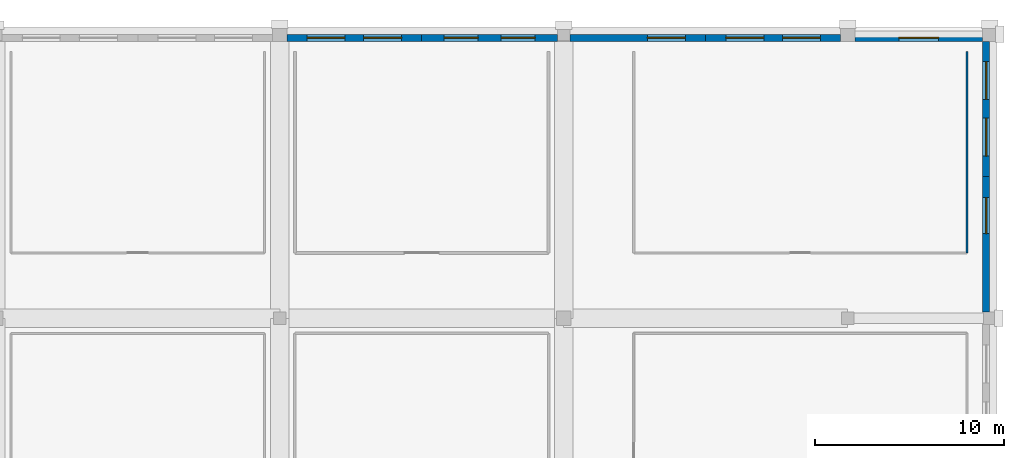
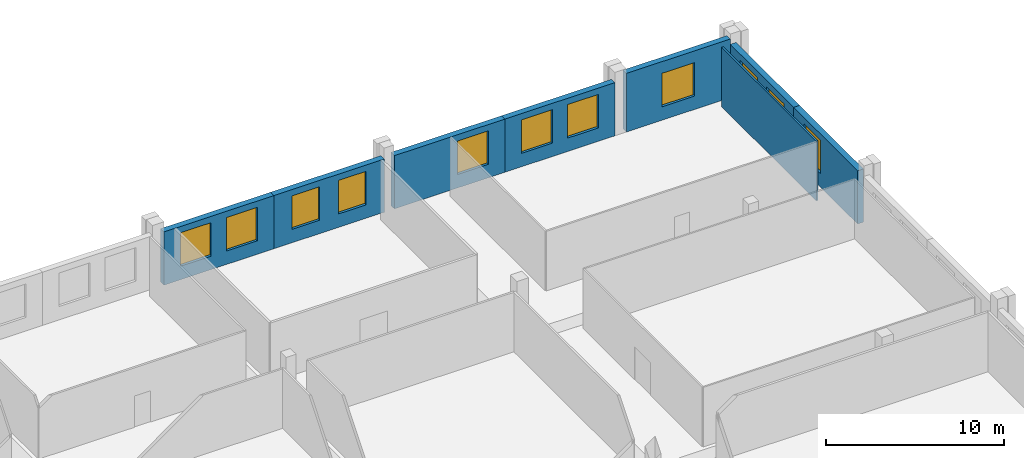
# One storey, part 53 of 64: 11 windows, 8 walls, 11 openings.
"""IFC4 building model written with IfcOpenShell, lengths in metres."""

from ifc_helpers import new_model, si_unit, direction, frame, frame_2d, origin, place, context, subcontext, project, spatial, rectangle, extrude, material, layer, layer_set, type_object, element, fill, save


model = new_model("IFC4")

# Units and contexts
model_context = context("Model", 3, precision=1e-05, world=origin(), true_north=direction((0.0, 1.0)))
body_context = subcontext(model_context, "Body", "Model", "MODEL_VIEW")
ifc_project = project(units=[si_unit("LENGTHUNIT", "METRE"), si_unit("AREAUNIT", "SQUARE_METRE"), si_unit("VOLUMEUNIT", "CUBIC_METRE"), si_unit("PLANEANGLEUNIT", "RADIAN"), si_unit("MASSUNIT", "GRAM", prefix="KILO")], contexts=[model_context])

# Site, building, storey
site_placement = place(None, origin())
site = spatial("IfcSite", under=ifc_project, at=site_placement, CompositionType="ELEMENT")
building_placement = place(site_placement, origin())
building = spatial("IfcBuilding", under=site, at=building_placement, Name="Akrevak Sports Hall", CompositionType="ELEMENT")
storey_placement = place(building_placement, frame((0.0, 0.0, 4.60009765625)))
storey = spatial("IfcBuildingStorey", under=building, at=storey_placement, Name="L01", CompositionType="ELEMENT", Elevation=4.60009765625)

# Wall, openings, windows
ifc_material_1 = material(Name="Limestone Ashlar", Category="stone")
ifc_layer_1 = layer(ifc_material_1, 0.080078125, Name="Limestone Ashlar")
ifc_material_2 = material(Name="Mineral Wool Thermal Insulation", Category="insulation")
ifc_layer_2 = layer(ifc_material_2, 0.10009765625, Name="Mineral Wool Thermal Insulation")
ifc_material_3 = material(Name="Concrete C40/50", Category="concrete")
ifc_layer_3 = layer(ifc_material_3, 0.199951171875, Name="Concrete C40/50")
ifc_layer_set_1 = layer_set([ifc_layer_1, ifc_layer_2, ifc_layer_3], Name="Limestone Ashlar / Mineral Wool Thermal Insulation / Concrete C40/50")
wall_type_1 = type_object("IfcWallType", Name="ARC-WL-EXT-380", PredefinedType="SOLIDWALL", material=ifc_layer_set_1)
wall_1_placement = place(storey_placement, frame((138.0, 113.81005859375, 0.0), z_axis=(0.0, 0.0, 1.0), x_axis=(-1.0, 0.0, 0.0)))
wall_1 = element("IfcWall", 1, at=wall_1_placement, inside=storey, type_object=wall_type_1, Name="Exterior Limestone Wall L01-N18", PredefinedType="SOLIDWALL", context=body_context, shape_type="SweptSolid", body=[
    extrude(rectangle(XDim=7.125, YDim=0.3798828125, at=frame_2d((3.5625, 0.0))), origin(), (0.0, 0.0, 1.0), 3.64990234375),
])
opening_1_placement = place(wall_1_placement, frame((4.058837890625, 0.0, 0.919921875)))
opening_1 = element("IfcOpeningElement", 2, at=opening_1_placement, cuts=wall_1, Name="Opening WN-29", PredefinedType="OPENING", context=body_context, shape_type="SweptSolid", body=[
    extrude(rectangle(XDim=2.0, YDim=2.300048828125, at=frame_2d((1.0, 1.14990234375))), frame((0.0, 0.201904296875, 0.0), z_axis=(0.0, -1.0, 0.0), x_axis=(1.0, 0.0, 0.0)), (0.0, 0.0, 1.0), 0.40380859375),
])
opening_2_placement = place(wall_1_placement, frame((1.066162109375, 0.0, 0.919921875)))
opening_2 = element("IfcOpeningElement", 3, at=opening_2_placement, cuts=wall_1, Name="Opening WN-29", PredefinedType="OPENING", context=body_context, shape_type="SweptSolid", body=[
    extrude(rectangle(XDim=2.0, YDim=2.300048828125, at=frame_2d((1.0, 1.14990234375))), frame((0.0, 0.201904296875, 0.0), z_axis=(0.0, -1.0, 0.0), x_axis=(1.0, 0.0, 0.0)), (0.0, 0.0, 1.0), 0.40380859375),
])
ifc_material_4 = material(Name="Thermally Broken Bronze Frame & Double Low-E Glass", Category="glass")
window_type_1 = type_object("IfcWindowType", Name="ARC-WIN-SZ-2000x2300", PartitioningType="SINGLE_PANEL", PredefinedType="WINDOW", material=ifc_material_4)
window_1_placement = place(opening_1_placement, origin())
window_1 = element("IfcWindow", 4, at=window_1_placement, inside=storey, type_object=window_type_1, Name="Beaux-Arts Facade Window WIN-L01-N18-1", OverallHeight=2.300048828125, OverallWidth=2.0, PartitioningType="SINGLE_PANEL", PredefinedType="WINDOW", context=body_context, shape_type="SweptSolid", body=[
    extrude(rectangle(XDim=2.0, YDim=2.300048828125, at=frame_2d((1.0, 1.14990234375))), frame((0.0, 0.030029296875, 0.0), z_axis=(0.0, -1.0, 0.0), x_axis=(1.0, 0.0, 0.0)), (0.0, 0.0, 1.0), 0.06005859375),
])
fill(opening_1, window_1)
window_2_placement = place(opening_2_placement, origin())
window_2 = element("IfcWindow", 5, at=window_2_placement, inside=storey, type_object=window_type_1, Name="Beaux-Arts Facade Window WIN-L01-N18-2", OverallHeight=2.300048828125, OverallWidth=2.0, PartitioningType="SINGLE_PANEL", PredefinedType="WINDOW", context=body_context, shape_type="SweptSolid", body=[
    extrude(rectangle(XDim=2.0, YDim=2.300048828125, at=frame_2d((1.0, 1.14990234375))), frame((0.0, 0.030029296875, 0.0), z_axis=(0.0, -1.0, 0.0), x_axis=(1.0, 0.0, 0.0)), (0.0, 0.0, 1.0), 0.06005859375),
])
fill(opening_2, window_2)

wall_2_placement = place(storey_placement, frame((145.175048828125, 113.81005859375, 0.0), z_axis=(0.0, 0.0, 1.0), x_axis=(-1.0, 0.0, 0.0)))
wall_2 = element("IfcWall", 6, at=wall_2_placement, inside=storey, type_object=wall_type_1, Name="Exterior Limestone Wall L01-N19", PredefinedType="SOLIDWALL", context=body_context, shape_type="SweptSolid", body=[
    extrude(rectangle(XDim=7.175048828125, YDim=0.3798828125, at=frame_2d((3.58740234375, 0.0))), origin(), (0.0, 0.0, 1.0), 3.64990234375),
])
opening_3_placement = place(wall_2_placement, frame((4.1943359375, 0.0, 0.919921875)))
opening_3 = element("IfcOpeningElement", 7, at=opening_3_placement, cuts=wall_2, Name="Opening WN-31", PredefinedType="OPENING", context=body_context, shape_type="SweptSolid", body=[
    extrude(rectangle(XDim=1.800048828125, YDim=2.300048828125, at=frame_2d((0.89990234375, 1.14990234375))), frame((0.0, 0.201904296875, 0.0), z_axis=(0.0, -1.0, 0.0), x_axis=(1.0, 0.0, 0.0)), (0.0, 0.0, 1.0), 0.40380859375),
])
opening_4_placement = place(wall_2_placement, frame((1.180908203125, 0.0, 0.919921875)))
opening_4 = element("IfcOpeningElement", 8, at=opening_4_placement, cuts=wall_2, Name="Opening WN-31", PredefinedType="OPENING", context=body_context, shape_type="SweptSolid", body=[
    extrude(rectangle(XDim=1.800048828125, YDim=2.300048828125, at=frame_2d((0.89990234375, 1.14990234375))), frame((0.0, 0.201904296875, 0.0), z_axis=(0.0, -1.0, 0.0), x_axis=(1.0, 0.0, 0.0)), (0.0, 0.0, 1.0), 0.40380859375),
])
window_type_2 = type_object("IfcWindowType", Name="ARC-WIN-SZ-1800x2300", PartitioningType="SINGLE_PANEL", PredefinedType="WINDOW", material=ifc_material_4)
window_3_placement = place(opening_3_placement, origin())
window_3 = element("IfcWindow", 9, at=window_3_placement, inside=storey, type_object=window_type_2, Name="Beaux-Arts Facade Window WIN-L01-N19-1", OverallHeight=2.300048828125, OverallWidth=1.800048828125, PartitioningType="SINGLE_PANEL", PredefinedType="WINDOW", context=body_context, shape_type="SweptSolid", body=[
    extrude(rectangle(XDim=1.800048828125, YDim=2.300048828125, at=frame_2d((0.89990234375, 1.14990234375))), frame((0.0, 0.030029296875, 0.0), z_axis=(0.0, -1.0, 0.0), x_axis=(1.0, 0.0, 0.0)), (0.0, 0.0, 1.0), 0.06005859375),
])
fill(opening_3, window_3)
window_4_placement = place(opening_4_placement, origin())
window_4 = element("IfcWindow", 10, at=window_4_placement, inside=storey, type_object=window_type_2, Name="Beaux-Arts Facade Window WIN-L01-N19-2", OverallHeight=2.300048828125, OverallWidth=1.800048828125, PartitioningType="SINGLE_PANEL", PredefinedType="WINDOW", context=body_context, shape_type="SweptSolid", body=[
    extrude(rectangle(XDim=1.800048828125, YDim=2.300048828125, at=frame_2d((0.89990234375, 1.14990234375))), frame((0.0, 0.030029296875, 0.0), z_axis=(0.0, -1.0, 0.0), x_axis=(1.0, 0.0, 0.0)), (0.0, 0.0, 1.0), 0.06005859375),
])
fill(opening_4, window_4)

# Wall, opening, window
wall_3_placement = place(storey_placement, frame((153.0, 113.81005859375, 0.0), z_axis=(0.0, 0.0, 1.0), x_axis=(-1.0, 0.0, 0.0)))
wall_3 = element("IfcWall", 11, at=wall_3_placement, inside=storey, type_object=wall_type_1, Name="Exterior Limestone Wall L01-N20", PredefinedType="SOLIDWALL", context=body_context, shape_type="SweptSolid", body=[
    extrude(rectangle(XDim=7.175048828125, YDim=0.3798828125, at=frame_2d((3.58740234375, 0.0))), origin(), (0.0, 0.0, 1.0), 3.64990234375),
])
opening_5_placement = place(wall_3_placement, frame((1.080810546875, 0.0, 0.919921875)))
opening_5 = element("IfcOpeningElement", 12, at=opening_5_placement, cuts=wall_3, Name="Opening WN-29", PredefinedType="OPENING", context=body_context, shape_type="SweptSolid", body=[
    extrude(rectangle(XDim=2.0, YDim=2.300048828125, at=frame_2d((1.0, 1.14990234375))), frame((0.0, 0.201904296875, 0.0), z_axis=(0.0, -1.0, 0.0), x_axis=(1.0, 0.0, 0.0)), (0.0, 0.0, 1.0), 0.40380859375),
])
window_5_placement = place(opening_5_placement, origin())
window_5 = element("IfcWindow", 13, at=window_5_placement, inside=storey, type_object=window_type_1, Name="Beaux-Arts Facade Window WIN-L01-N20-2", OverallHeight=2.300048828125, OverallWidth=2.0, PartitioningType="SINGLE_PANEL", PredefinedType="WINDOW", context=body_context, shape_type="SweptSolid", body=[
    extrude(rectangle(XDim=2.0, YDim=2.300048828125, at=frame_2d((1.0, 1.14990234375))), frame((0.0, 0.030029296875, 0.0), z_axis=(0.0, -1.0, 0.0), x_axis=(1.0, 0.0, 0.0)), (0.0, 0.0, 1.0), 0.06005859375),
])
fill(opening_5, window_5)

# Wall, openings, windows
wall_4_placement = place(storey_placement, frame((160.125, 113.81005859375, 0.0), z_axis=(0.0, 0.0, 1.0), x_axis=(-1.0, 0.0, 0.0)))
wall_4 = element("IfcWall", 14, at=wall_4_placement, inside=storey, type_object=wall_type_1, Name="Exterior Limestone Wall L01-N21", PredefinedType="SOLIDWALL", context=body_context, shape_type="SweptSolid", body=[
    extrude(rectangle(XDim=7.125, YDim=0.3798828125, at=frame_2d((3.5625, 0.0))), origin(), (0.0, 0.0, 1.0), 3.64990234375),
])
opening_6_placement = place(wall_4_placement, frame((4.058837890625, 0.0, 0.919921875)))
opening_6 = element("IfcOpeningElement", 15, at=opening_6_placement, cuts=wall_4, Name="Opening WN-29", PredefinedType="OPENING", context=body_context, shape_type="SweptSolid", body=[
    extrude(rectangle(XDim=2.0, YDim=2.300048828125, at=frame_2d((1.0, 1.14990234375))), frame((0.0, 0.201904296875, 0.0), z_axis=(0.0, -1.0, 0.0), x_axis=(1.0, 0.0, 0.0)), (0.0, 0.0, 1.0), 0.40380859375),
])
opening_7_placement = place(wall_4_placement, frame((1.066162109375, 0.0, 0.919921875)))
opening_7 = element("IfcOpeningElement", 16, at=opening_7_placement, cuts=wall_4, Name="Opening WN-29", PredefinedType="OPENING", context=body_context, shape_type="SweptSolid", body=[
    extrude(rectangle(XDim=2.0, YDim=2.300048828125, at=frame_2d((1.0, 1.14990234375))), frame((0.0, 0.201904296875, 0.0), z_axis=(0.0, -1.0, 0.0), x_axis=(1.0, 0.0, 0.0)), (0.0, 0.0, 1.0), 0.40380859375),
])
window_6_placement = place(opening_6_placement, origin())
window_6 = element("IfcWindow", 17, at=window_6_placement, inside=storey, type_object=window_type_1, Name="Beaux-Arts Facade Window WIN-L01-N21-1", OverallHeight=2.300048828125, OverallWidth=2.0, PartitioningType="SINGLE_PANEL", PredefinedType="WINDOW", context=body_context, shape_type="SweptSolid", body=[
    extrude(rectangle(XDim=2.0, YDim=2.300048828125, at=frame_2d((1.0, 1.14990234375))), frame((0.0, 0.030029296875, 0.0), z_axis=(0.0, -1.0, 0.0), x_axis=(1.0, 0.0, 0.0)), (0.0, 0.0, 1.0), 0.06005859375),
])
fill(opening_6, window_6)
window_7_placement = place(opening_7_placement, origin())
window_7 = element("IfcWindow", 18, at=window_7_placement, inside=storey, type_object=window_type_1, Name="Beaux-Arts Facade Window WIN-L01-N21-2", OverallHeight=2.300048828125, OverallWidth=2.0, PartitioningType="SINGLE_PANEL", PredefinedType="WINDOW", context=body_context, shape_type="SweptSolid", body=[
    extrude(rectangle(XDim=2.0, YDim=2.300048828125, at=frame_2d((1.0, 1.14990234375))), frame((0.0, 0.030029296875, 0.0), z_axis=(0.0, -1.0, 0.0), x_axis=(1.0, 0.0, 0.0)), (0.0, 0.0, 1.0), 0.06005859375),
])
fill(opening_7, window_7)

# Wall, opening, window
wall_5_placement = place(storey_placement, frame((167.625, 113.81005859375, 0.0), z_axis=(0.0, 0.0, 1.0), x_axis=(-1.0, 0.0, 0.0)))
wall_5 = element("IfcWall", 19, at=wall_5_placement, inside=storey, type_object=wall_type_1, Name="Exterior Limestone Wall L01-N22", PredefinedType="SOLIDWALL", context=body_context, shape_type="SweptSolid", body=[
    extrude(rectangle(XDim=6.75, YDim=0.3798828125, at=frame_2d((3.375, 0.0))), origin(), (0.0, 0.0, 1.0), 4.02001953125),
])
opening_8_placement = place(wall_5_placement, frame((2.324951171875, 0.0, 0.919921875)))
opening_8 = element("IfcOpeningElement", 20, at=opening_8_placement, cuts=wall_5, Name="Opening WN-33", PredefinedType="OPENING", context=body_context, shape_type="SweptSolid", body=[
    extrude(rectangle(XDim=2.10009765625, YDim=2.300048828125, at=frame_2d((1.050048828125, 1.14990234375))), frame((0.0, 0.201904296875, 0.0), z_axis=(0.0, -1.0, 0.0), x_axis=(1.0, 0.0, 0.0)), (0.0, 0.0, 1.0), 0.40380859375),
])
window_type_3 = type_object("IfcWindowType", Name="ARC-WIN-SZ-2100x2300", PartitioningType="SINGLE_PANEL", PredefinedType="WINDOW", material=ifc_material_4)
window_8_placement = place(opening_8_placement, origin())
window_8 = element("IfcWindow", 21, at=window_8_placement, inside=storey, type_object=window_type_3, Name="Beaux-Arts Facade Window WIN-L01-N22", OverallHeight=2.300048828125, OverallWidth=2.10009765625, PartitioningType="SINGLE_PANEL", PredefinedType="WINDOW", context=body_context, shape_type="SweptSolid", body=[
    extrude(rectangle(XDim=2.10009765625, YDim=2.300048828125, at=frame_2d((1.050048828125, 1.14990234375))), frame((0.0, 0.030029296875, 0.0), z_axis=(0.0, -1.0, 0.0), x_axis=(1.0, 0.0, 0.0)), (0.0, 0.0, 1.0), 0.06005859375),
])
fill(opening_8, window_8)

wall_6_placement = place(storey_placement, frame((167.81005859375, 99.324951171875, 0.0), z_axis=(0.0, 0.0, 1.0), x_axis=(0.0, 1.0, 0.0)))
wall_6 = element("IfcWall", 22, at=wall_6_placement, inside=storey, type_object=wall_type_1, Name="Exterior Limestone Wall L01-E15", PredefinedType="SOLIDWALL", context=body_context, shape_type="SweptSolid", body=[
    extrude(rectangle(XDim=7.175048828125, YDim=0.3798828125, at=frame_2d((3.58740234375, 0.0))), origin(), (0.0, 0.0, 1.0), 3.64990234375),
])
opening_9_placement = place(wall_6_placement, frame((4.144287109375, 0.0, 0.919921875)))
opening_9 = element("IfcOpeningElement", 23, at=opening_9_placement, cuts=wall_6, Name="Opening WN-30", PredefinedType="OPENING", context=body_context, shape_type="SweptSolid", body=[
    extrude(rectangle(XDim=1.89990234375, YDim=2.300048828125, at=frame_2d((0.949951171875, 1.14990234375))), frame((0.0, 0.201904296875, 0.0), z_axis=(0.0, -1.0, 0.0), x_axis=(1.0, 0.0, 0.0)), (0.0, 0.0, 1.0), 0.40380859375),
])
window_type_4 = type_object("IfcWindowType", Name="ARC-WIN-SZ-1900x2300", PartitioningType="SINGLE_PANEL", PredefinedType="WINDOW", material=ifc_material_4)
window_9_placement = place(opening_9_placement, origin())
window_9 = element("IfcWindow", 24, at=window_9_placement, inside=storey, type_object=window_type_4, Name="Beaux-Arts Facade Window WIN-L01-E15-2", OverallHeight=2.300048828125, OverallWidth=1.89990234375, PartitioningType="SINGLE_PANEL", PredefinedType="WINDOW", context=body_context, shape_type="SweptSolid", body=[
    extrude(rectangle(XDim=1.89990234375, YDim=2.300048828125, at=frame_2d((0.949951171875, 1.14990234375))), frame((0.0, 0.030029296875, 0.0), z_axis=(0.0, -1.0, 0.0), x_axis=(1.0, 0.0, 0.0)), (0.0, 0.0, 1.0), 0.06005859375),
])
fill(opening_9, window_9)

# Wall, openings, windows
wall_7_placement = place(storey_placement, frame((167.81005859375, 106.5, 0.0), z_axis=(0.0, 0.0, 1.0), x_axis=(0.0, 1.0, 0.0)))
wall_7 = element("IfcWall", 25, at=wall_7_placement, inside=storey, type_object=wall_type_1, Name="Exterior Limestone Wall L01-E16", PredefinedType="SOLIDWALL", context=body_context, shape_type="SweptSolid", body=[
    extrude(rectangle(XDim=7.125, YDim=0.3798828125, at=frame_2d((3.5625, 0.0))), origin(), (0.0, 0.0, 1.0), 3.64990234375),
])
opening_10_placement = place(wall_7_placement, frame((1.066162109375, 0.0, 0.919921875)))
opening_10 = element("IfcOpeningElement", 26, at=opening_10_placement, cuts=wall_7, Name="Opening WN-29", PredefinedType="OPENING", context=body_context, shape_type="SweptSolid", body=[
    extrude(rectangle(XDim=2.0, YDim=2.300048828125, at=frame_2d((1.0, 1.14990234375))), frame((0.0, 0.201904296875, 0.0), z_axis=(0.0, -1.0, 0.0), x_axis=(1.0, 0.0, 0.0)), (0.0, 0.0, 1.0), 0.40380859375),
])
opening_11_placement = place(wall_7_placement, frame((4.058837890625, 0.0, 0.919921875)))
opening_11 = element("IfcOpeningElement", 27, at=opening_11_placement, cuts=wall_7, Name="Opening WN-29", PredefinedType="OPENING", context=body_context, shape_type="SweptSolid", body=[
    extrude(rectangle(XDim=2.0, YDim=2.300048828125, at=frame_2d((1.0, 1.14990234375))), frame((0.0, 0.201904296875, 0.0), z_axis=(0.0, -1.0, 0.0), x_axis=(1.0, 0.0, 0.0)), (0.0, 0.0, 1.0), 0.40380859375),
])
window_10_placement = place(opening_10_placement, origin())
window_10 = element("IfcWindow", 28, at=window_10_placement, inside=storey, type_object=window_type_1, Name="Beaux-Arts Facade Window WIN-L01-E16-1", OverallHeight=2.300048828125, OverallWidth=2.0, PartitioningType="SINGLE_PANEL", PredefinedType="WINDOW", context=body_context, shape_type="SweptSolid", body=[
    extrude(rectangle(XDim=2.0, YDim=2.300048828125, at=frame_2d((1.0, 1.14990234375))), frame((0.0, 0.030029296875, 0.0), z_axis=(0.0, -1.0, 0.0), x_axis=(1.0, 0.0, 0.0)), (0.0, 0.0, 1.0), 0.06005859375),
])
fill(opening_10, window_10)
window_11_placement = place(opening_11_placement, origin())
window_11 = element("IfcWindow", 29, at=window_11_placement, inside=storey, type_object=window_type_1, Name="Beaux-Arts Facade Window WIN-L01-E16-2", OverallHeight=2.300048828125, OverallWidth=2.0, PartitioningType="SINGLE_PANEL", PredefinedType="WINDOW", context=body_context, shape_type="SweptSolid", body=[
    extrude(rectangle(XDim=2.0, YDim=2.300048828125, at=frame_2d((1.0, 1.14990234375))), frame((0.0, 0.030029296875, 0.0), z_axis=(0.0, -1.0, 0.0), x_axis=(1.0, 0.0, 0.0)), (0.0, 0.0, 1.0), 0.06005859375),
])
fill(opening_11, window_11)

# Wall
ifc_material_5 = material(Name="Lightweight Office Partition", Category="gypsum")
ifc_layer_4 = layer(ifc_material_5, 0.110107421875, Name="Lightweight Office Partition")
ifc_layer_set_2 = layer_set([ifc_layer_4], Name="Lightweight Office Partition")
wall_type_2 = type_object("IfcWallType", Name="ARC-WL-PRT-110", PredefinedType="PARTITIONING", material=ifc_layer_set_2)
wall_8_placement = place(storey_placement, frame((166.800048828125, 102.449951171875, 0.0), z_axis=(0.0, 0.0, 1.0), x_axis=(0.0, 1.0, 0.0)))
element("IfcWall", 30, at=wall_8_placement, inside=storey, type_object=wall_type_2, Name="Interior Partition Federation Officiating & Records Office L01-12 (E)", PredefinedType="PARTITIONING", context=body_context, shape_type="SweptSolid", body=[
    extrude(rectangle(XDim=10.650146484375, YDim=0.110107421875, at=frame_2d((5.3251953125, 0.0))), origin(), (0.0, 0.0, 1.0), 4.079833984375),
])

save(model, "model.ifc")
